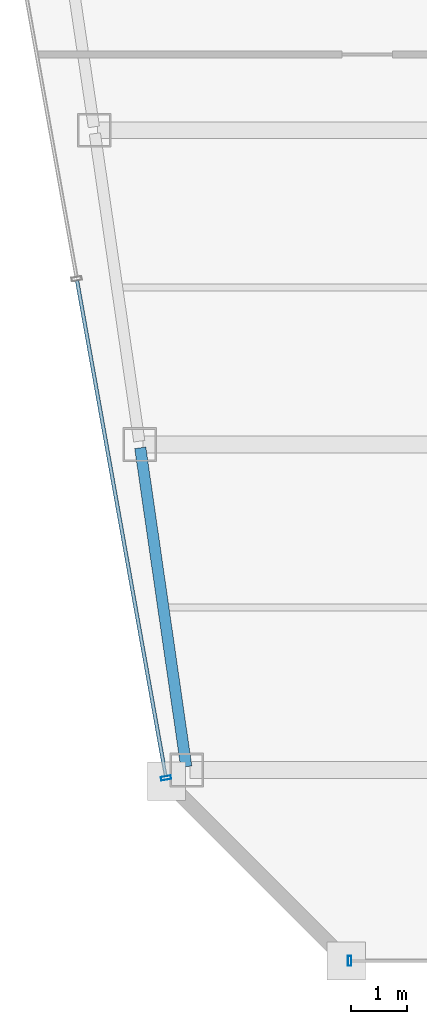
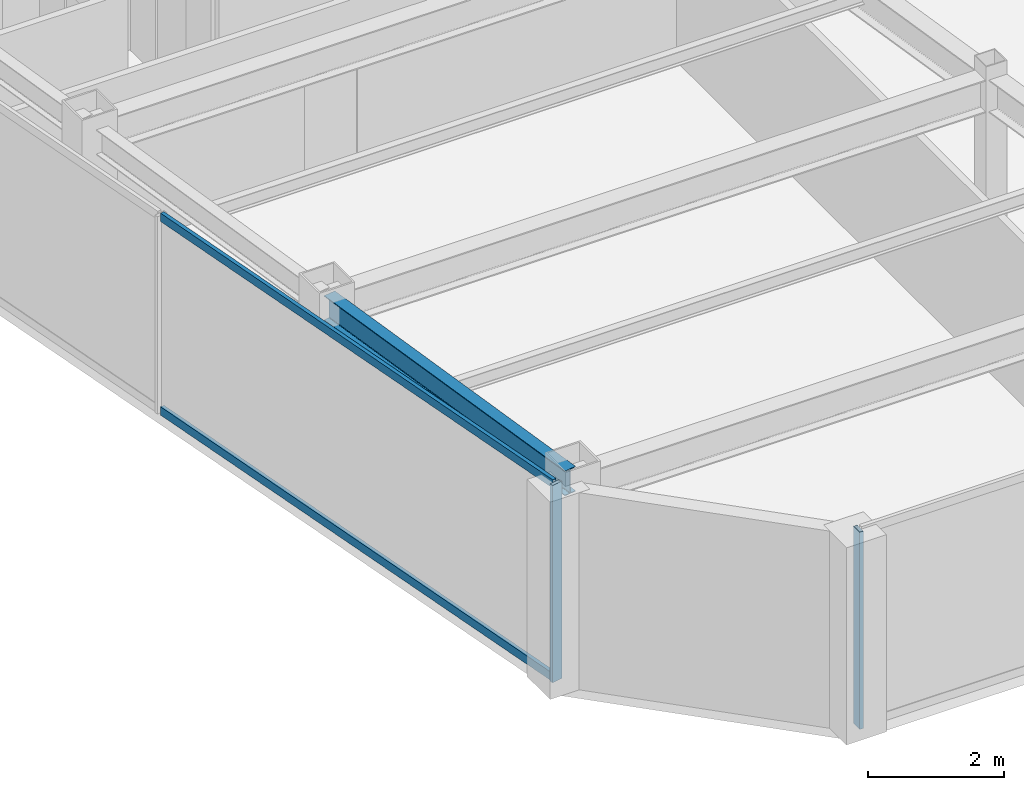
# One storey, part 3 of 32: 4 members, 1 beam, 2 elements without a shape of their own.
"""IFC4 building model written with IfcOpenShell, lengths in metres."""

from ifc_helpers import new_model, si_unit, direction, frame, origin, origin_2d, place, context, subcontext, project, spatial, hollow_rectangle, i_section, extrude, material, material_profile, profile_set, type_object, element, aggregate, save


model = new_model("IFC4")

# Units and contexts
model_context = context("Model", 3, precision=1e-05, world=origin(), true_north=direction((0.0, 1.0)))
body_context = subcontext(model_context, "Body", "Model", "MODEL_VIEW")
ifc_project = project(units=[si_unit("LENGTHUNIT", "METRE"), si_unit("AREAUNIT", "SQUARE_METRE"), si_unit("VOLUMEUNIT", "CUBIC_METRE"), si_unit("PLANEANGLEUNIT", "RADIAN"), si_unit("MASSUNIT", "GRAM", prefix="KILO")], contexts=[model_context])

# Site, building, storey
site_placement = place(None, origin())
site = spatial("IfcSite", under=ifc_project, at=site_placement, CompositionType="ELEMENT")
building_placement = place(site_placement, origin())
building = spatial("IfcBuilding", under=site, at=building_placement, Name="Saevonmaru Cultural Tower", CompositionType="ELEMENT")
storey_placement = place(building_placement, frame((0.0, 0.0, 268.60009765625)))
storey = spatial("IfcBuildingStorey", under=building, at=storey_placement, Name="L63", CompositionType="ELEMENT", Elevation=268.60009765625)

# Beam
ifc_material_1 = material(Name="Steel SM355", Category="steel")
ifc_material_profile_1 = material_profile(ifc_material_1, i_section(OverallWidth=0.199951171875, OverallDepth=0.449951171875, WebThickness=0.009033203125, FlangeThickness=0.013916015625, FilletRadius=0.01806640625, at=origin_2d()), Name="H-450x200x9x14")
ifc_profile_set_1 = profile_set([ifc_material_profile_1], Name="Steel SM355")
beam_type = type_object("IfcBeamType", Name="BM-SP-H450", PredefinedType="SPANDREL", material=ifc_profile_set_1)
beam_placement = place(storey_placement, frame((9.1455078125, 26.259521484375, 3.324951171875), z_axis=(-0.142826510921, 0.989747739466, 0.0), x_axis=(-0.989747739466, -0.142826510921, 0.0)))
element("IfcBeam", 1, at=beam_placement, inside=storey, type_object=beam_type, Name="L63 West Splayed Spandrel 1", PredefinedType="SPANDREL", context=body_context, shape_type="SweptSolid", body=[
    extrude(i_section(OverallWidth=0.199951171875, OverallDepth=0.449951171875, WebThickness=0.009033203125, FlangeThickness=0.013916015625, FilletRadius=0.01806640625, at=origin_2d()), origin(), (0.0, 0.0, 1.0), 5.739990234375),
])

# Curtain wall, member
ifc_material_2 = material(Name="Satin Bronze Anodised Aluminium", Category="aluminium")
curtain_wall_type = type_object("IfcCurtainWallType", Name="CW-TYP-B", PredefinedType="NOTDEFINED", material=ifc_material_2)
curtain_wall_1_placement = place(storey_placement, origin())
curtain_wall_1 = element("IfcCurtainWall", 2, at=curtain_wall_1_placement, inside=storey, type_object=curtain_wall_type, Name="L63 Unitised Curtain Wall E2", PredefinedType="NOTDEFINED")
ifc_material_profile_2 = material_profile(ifc_material_2, hollow_rectangle(XDim=0.06494140625, YDim=0.179931640625, WallThickness=0.00390625, at=origin_2d()), Name="ALU-MULL-180x65x4")
ifc_profile_set_2 = profile_set([ifc_material_profile_2], Name="Satin Bronze Anodised Aluminium")
member_type_1 = type_object("IfcMemberType", Name="ML-CW-180x65", PredefinedType="MULLION", material=ifc_profile_set_2)
member_1_placement = place(storey_placement, frame((12.0556640625, 22.800048828125, 0.0), z_axis=(0.0, 0.0, 1.0), x_axis=(1.0, 0.0, 0.0)))
member_1 = element("IfcMember", 3, at=member_1_placement, type_object=member_type_1, Name="CW-TW-L63-E2 mullion 1", PredefinedType="MULLION", context=body_context, shape_type="SweptSolid", body=[
    extrude(hollow_rectangle(XDim=0.06494140625, YDim=0.179931640625, WallThickness=0.00390625, at=origin_2d()), origin(), (0.0, 0.0, 1.0), 3.5498046875),
])
aggregate(curtain_wall_1, [member_1])

# Curtain wall, members
curtain_wall_2_placement = place(storey_placement, origin())
curtain_wall_2 = element("IfcCurtainWall", 4, at=curtain_wall_2_placement, inside=storey, type_object=curtain_wall_type, Name="L63 Unitised Curtain Wall E12", PredefinedType="NOTDEFINED")
member_2_placement = place(storey_placement, frame((8.784912109375, 26.05908203125, 0.0), z_axis=(0.0, 0.0, 1.0), x_axis=(0.176140740755, -0.984364993001, 0.0)))
member_2 = element("IfcMember", 5, at=member_2_placement, type_object=member_type_1, Name="CW-TW-L63-E12 mullion 4", PredefinedType="MULLION", context=body_context, shape_type="SweptSolid", body=[
    extrude(hollow_rectangle(XDim=0.06494140625, YDim=0.179931640625, WallThickness=0.00390625, at=origin_2d()), origin(), (0.0, 0.0, 1.0), 3.5498046875),
])
ifc_material_profile_3 = material_profile(ifc_material_2, hollow_rectangle(XDim=0.06494140625, YDim=0.14990234375, WallThickness=0.00390625, at=origin_2d()), Name="ALU-TRAN-150x65x4")
ifc_profile_set_3 = profile_set([ifc_material_profile_3], Name="Satin Bronze Anodised Aluminium")
member_type_2 = type_object("IfcMemberType", Name="TR-CW-150x65", PredefinedType="USERDEFINED", material=ifc_profile_set_3)
member_3_placement = place(storey_placement, frame((7.19921875, 34.921142578125, 0.032470703125), z_axis=(0.176144810911, -0.984364264685, 0.0), x_axis=(0.984364264685, 0.176144810911, 0.0)))
member_3 = element("IfcMember", 6, at=member_3_placement, type_object=member_type_2, Name="CW-TW-L63-E12 transom 3.1", ObjectType="TRANSOM", PredefinedType="USERDEFINED", context=body_context, shape_type="SweptSolid", body=[
    extrude(hollow_rectangle(XDim=0.06494140625, YDim=0.14990234375, WallThickness=0.00390625, at=origin_2d()), origin(), (0.0, 0.0, 1.0), 8.97021484375),
])
member_4_placement = place(storey_placement, frame((7.19921875, 34.921142578125, 3.517333984375), z_axis=(0.176144810911, -0.984364264685, 0.0), x_axis=(0.984364264685, 0.176144810911, 0.0)))
member_4 = element("IfcMember", 7, at=member_4_placement, type_object=member_type_2, Name="CW-TW-L63-E12 transom 3.2", ObjectType="TRANSOM", PredefinedType="USERDEFINED", context=body_context, shape_type="SweptSolid", body=[
    extrude(hollow_rectangle(XDim=0.06494140625, YDim=0.14990234375, WallThickness=0.00390625, at=origin_2d()), origin(), (0.0, 0.0, 1.0), 8.97021484375),
])
aggregate(curtain_wall_2, [member_2, member_3, member_4])

save(model, "model.ifc")
